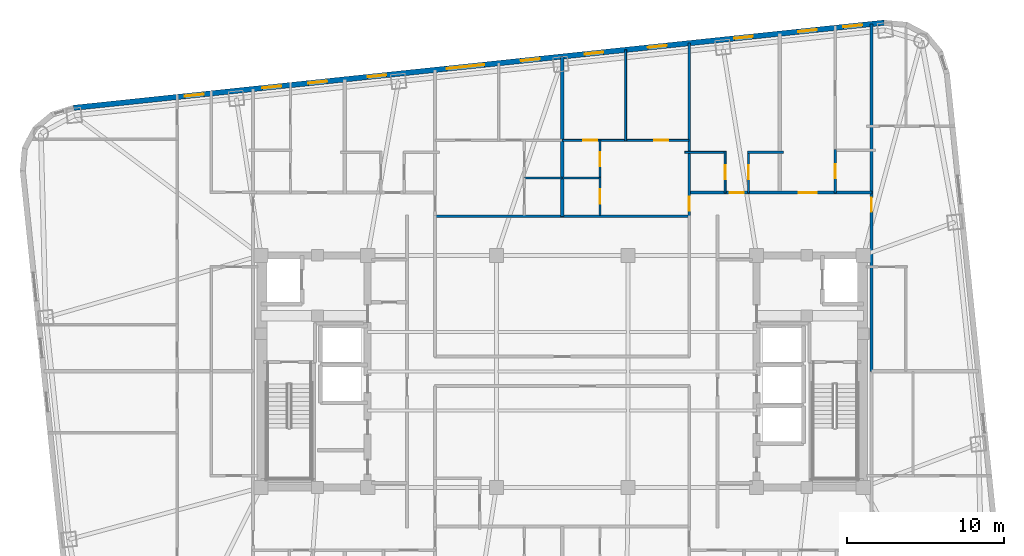
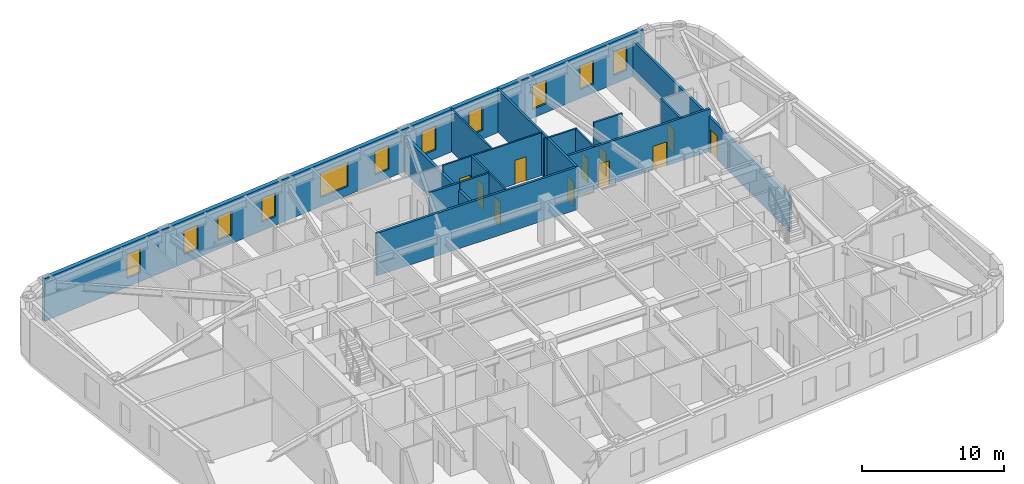
# One storey, part 9 of 12: 17 walls, 11 doors, 11 windows, 22 openings.
"""IFC4 building model written with IfcOpenShell, lengths in metres."""

from ifc_helpers import new_model, si_unit, direction, frame, frame_2d, origin, place, context, subcontext, project, spatial, rectangle, extrude, material, layer, layer_set, type_object, element, fill, save


model = new_model("IFC4")

# Units and contexts
model_context = context("Model", 3, precision=1e-05, world=origin(), true_north=direction((0.0, 1.0)))
body_context = subcontext(model_context, "Body", "Model", "MODEL_VIEW")
ifc_project = project(units=[si_unit("LENGTHUNIT", "METRE"), si_unit("AREAUNIT", "SQUARE_METRE"), si_unit("VOLUMEUNIT", "CUBIC_METRE"), si_unit("PLANEANGLEUNIT", "RADIAN"), si_unit("MASSUNIT", "GRAM", prefix="KILO")], contexts=[model_context])

# Site, building, storey
site_placement = place(None, origin())
site = spatial("IfcSite", under=ifc_project, at=site_placement, CompositionType="ELEMENT")
building_placement = place(site_placement, origin())
building = spatial("IfcBuilding", under=site, at=building_placement, Name="Voryun Gate Residences", CompositionType="ELEMENT")
storey_placement = place(building_placement, frame((0.0, 0.0, 152.10009765625)))
storey = spatial("IfcBuildingStorey", under=building, at=storey_placement, Name="L37", CompositionType="ELEMENT", Elevation=152.10009765625)

# Wall
ifc_material_1 = material(Name="Gypsum acoustic fireboard")
ifc_layer_1 = layer(ifc_material_1, 0.179931640625, Name="W_CORR_RATED_180")
ifc_layer_set_1 = layer_set([ifc_layer_1], Name="Gypsum acoustic fireboard")
wall_type_1 = type_object("IfcWallType", Name="W_CORR_RATED_180", PredefinedType="PARTITIONING", material=ifc_layer_set_1)
wall_1_placement = place(storey_placement, frame((-8.14990234375, 9.889892578125, 0.0), z_axis=(0.0, 0.0, 1.0), x_axis=(1.0, 0.0, 0.0)))
element("IfcWall", 1, at=wall_1_placement, inside=storey, type_object=wall_type_1, Name="Partition wall WP-L37-Z2N", PredefinedType="PARTITIONING", context=body_context, shape_type="SweptSolid", body=[
    extrude(rectangle(XDim=16.2998046875, YDim=0.179931640625, at=frame_2d((8.14990234375, 0.0))), origin(), (0.0, 0.0, 1.0), 3.64990234375),
])

# Wall, openings, doors
wall_2_placement = place(storey_placement, frame((8.080078125, 11.39990234375, 0.0), z_axis=(0.0, 0.0, 1.0), x_axis=(1.0, 0.0, 0.0)))
wall_2 = element("IfcWall", 2, at=wall_2_placement, inside=storey, type_object=wall_type_1, Name="Partition wall WP-L37-NCORR-E", PredefinedType="PARTITIONING", context=body_context, shape_type="SweptSolid", body=[
    extrude(rectangle(XDim=11.669921875, YDim=0.179931640625, at=frame_2d((5.8349609375, 0.0))), origin(), (0.0, 0.0, 1.0), 3.64990234375),
])
opening_1_placement = place(wall_2_placement, frame((2.60400390625, 0.0, 0.0)))
opening_1 = element("IfcOpeningElement", 3, at=opening_1_placement, cuts=wall_2, Name="Opening D-INT-2", PredefinedType="OPENING", context=body_context, shape_type="SweptSolid", body=[
    extrude(rectangle(XDim=0.89990234375, YDim=2.050048828125, at=frame_2d((0.449951171875, 1.02490234375))), frame((0.0, 0.099853515625, 0.0), z_axis=(0.0, -1.0, 0.0), x_axis=(1.0, 0.0, 0.0)), (0.0, 0.0, 1.0), 0.199951171875),
])
opening_2_placement = place(wall_2_placement, frame((7.016357421875, 0.0, 0.0)))
opening_2 = element("IfcOpeningElement", 4, at=opening_2_placement, cuts=wall_2, Name="Opening D-UNIT-1", PredefinedType="OPENING", context=body_context, shape_type="SweptSolid", body=[
    extrude(rectangle(XDim=1.14990234375, YDim=2.050048828125, at=frame_2d((0.574951171875, 1.02490234375))), frame((0.0, 0.099853515625, 0.0), z_axis=(0.0, -1.0, 0.0), x_axis=(1.0, 0.0, 0.0)), (0.0, 0.0, 1.0), 0.199951171875),
])
ifc_material_2 = material(Name="Architectural oak veneer")
door_type_1 = type_object("IfcDoorType", Name="DR_INT_BATH_900", OperationType="NOTDEFINED", PredefinedType="DOOR", material=ifc_material_2)
door_1_placement = place(opening_1_placement, origin())
door_1 = element("IfcDoor", 5, at=door_1_placement, inside=storey, type_object=door_type_1, Name="Door DR-L37-NENT-4", OperationType="SINGLE_SWING_RIGHT", OverallHeight=2.050048828125, OverallWidth=0.89990234375, PredefinedType="DOOR", context=body_context, shape_type="SweptSolid", body=[
    extrude(rectangle(XDim=0.89990234375, YDim=2.050048828125, at=frame_2d((0.449951171875, 1.02490234375))), frame((0.0, 0.02490234375, 0.0), z_axis=(0.0, -1.0, 0.0), x_axis=(1.0, 0.0, 0.0)), (0.0, 0.0, 1.0), 0.050048828125),
])
fill(opening_1, door_1)
ifc_material_3 = material(Name="Armoured timber-clad fire door", Category="wood")
door_type_2 = type_object("IfcDoorType", Name="DR_UNIT_ENTRY_1150", OperationType="NOTDEFINED", PredefinedType="DOOR", material=ifc_material_3)
door_2_placement = place(opening_2_placement, origin())
door_2 = element("IfcDoor", 6, at=door_2_placement, inside=storey, type_object=door_type_2, Name="Door DR-L37-NENT-5", OperationType="SINGLE_SWING_LEFT", OverallHeight=2.050048828125, OverallWidth=1.14990234375, PredefinedType="DOOR", context=body_context, shape_type="SweptSolid", body=[
    extrude(rectangle(XDim=1.14990234375, YDim=2.050048828125, at=frame_2d((0.574951171875, 1.02490234375))), frame((0.0, 0.02490234375, 0.0), z_axis=(0.0, -1.0, 0.0), x_axis=(1.0, 0.0, 0.0)), (0.0, 0.0, 1.0), 0.050048828125),
])
fill(opening_2, door_2)

# Wall, opening, door
wall_3_placement = place(storey_placement, frame((8.10009765625, 9.889892578125, 0.0), z_axis=(0.0, 0.0, 1.0), x_axis=(0.0, 1.0, 0.0)))
wall_3 = element("IfcWall", 7, at=wall_3_placement, inside=storey, type_object=wall_type_1, Name="Partition wall WP-L37-NZV-2", PredefinedType="PARTITIONING", context=body_context, shape_type="SweptSolid", body=[
    extrude(rectangle(XDim=11.039306640625, YDim=0.179931640625, at=frame_2d((5.51953125, 0.0))), origin(), (0.0, 0.0, 1.0), 3.64990234375),
])
opening_3_placement = place(wall_3_placement, frame((0.350341796875, 0.0, 0.0)))
opening_3 = element("IfcOpeningElement", 8, at=opening_3_placement, cuts=wall_3, Name="Opening D-INT-2", PredefinedType="OPENING", context=body_context, shape_type="SweptSolid", body=[
    extrude(rectangle(XDim=0.89990234375, YDim=2.050048828125, at=frame_2d((0.449951171875, 1.02490234375))), frame((0.0, 0.099853515625, 0.0), z_axis=(0.0, -1.0, 0.0), x_axis=(1.0, 0.0, 0.0)), (0.0, 0.0, 1.0), 0.199951171875),
])
door_3_placement = place(opening_3_placement, origin())
door_3 = element("IfcDoor", 9, at=door_3_placement, inside=storey, type_object=door_type_1, Name="Door DR-L37-NZENT-2", OperationType="SINGLE_SWING_RIGHT", OverallHeight=2.050048828125, OverallWidth=0.89990234375, PredefinedType="DOOR", context=body_context, shape_type="SweptSolid", body=[
    extrude(rectangle(XDim=0.89990234375, YDim=2.050048828125, at=frame_2d((0.449951171875, 1.02490234375))), frame((0.0, 0.02490234375, 0.0), z_axis=(0.0, -1.0, 0.0), x_axis=(1.0, 0.0, 0.0)), (0.0, 0.0, 1.0), 0.050048828125),
])
fill(opening_3, door_3)

wall_4_placement = place(storey_placement, frame((19.719970703125, 0.0, 0.0), z_axis=(0.0, 0.0, 1.0), x_axis=(0.0, 1.0, 0.0)))
wall_4 = element("IfcWall", 10, at=wall_4_placement, inside=storey, type_object=wall_type_1, Name="Partition wall WP-L37-ECOR2", PredefinedType="PARTITIONING", context=body_context, shape_type="SweptSolid", body=[
    extrude(rectangle(XDim=22.150390625, YDim=0.179931640625, at=frame_2d((11.0751953125, 0.0))), origin(), (0.0, 0.0, 1.0), 3.039794921875),
])
opening_4_placement = place(wall_4_placement, frame((10.179931640625, 0.0, 0.0)))
opening_4 = element("IfcOpeningElement", 11, at=opening_4_placement, cuts=wall_4, Name="Opening D-INT-2", PredefinedType="OPENING", context=body_context, shape_type="SweptSolid", body=[
    extrude(rectangle(XDim=0.89990234375, YDim=2.050048828125, at=frame_2d((0.449951171875, 1.02490234375))), frame((0.0, 0.099853515625, 0.0), z_axis=(0.0, -1.0, 0.0), x_axis=(1.0, 0.0, 0.0)), (0.0, 0.0, 1.0), 0.199951171875),
])
door_4_placement = place(opening_4_placement, origin())
door_4 = element("IfcDoor", 12, at=door_4_placement, inside=storey, type_object=door_type_1, Name="Door DR-L37-EE2", OperationType="SINGLE_SWING_RIGHT", OverallHeight=2.050048828125, OverallWidth=0.89990234375, PredefinedType="DOOR", context=body_context, shape_type="SweptSolid", body=[
    extrude(rectangle(XDim=0.89990234375, YDim=2.050048828125, at=frame_2d((0.449951171875, 1.02490234375))), frame((0.0, 0.02490234375, 0.0), z_axis=(0.0, -1.0, 0.0), x_axis=(1.0, 0.0, 0.0)), (0.0, 0.0, 1.0), 0.050048828125),
])
fill(opening_4, door_4)

# Wall, openings, windows
ifc_material_4 = material(Name="Charcoal terracotta masonry", Category="masonry")
ifc_layer_2 = layer(ifc_material_4, 0.340087890625, Name="W_EXT_TERRACOTTA_340")
ifc_layer_set_2 = layer_set([ifc_layer_2], Name="Charcoal terracotta masonry")
wall_type_2 = type_object("IfcWallType", Name="W_EXT_TERRACOTTA_340", PredefinedType="ELEMENTEDWALL", material=ifc_layer_set_2)
wall_5_placement = place(storey_placement, frame((-31.155517578125, 16.80322265625, 0.0), z_axis=(0.0, 0.0, 1.0), x_axis=(0.99452209583, 0.104526555986, 0.0)))
wall_5 = element("IfcWall", 13, at=wall_5_placement, inside=storey, type_object=wall_type_2, Name="Exterior wall WEXT-L37-11", PredefinedType="ELEMENTEDWALL", context=body_context, shape_type="SweptSolid", body=[
    extrude(rectangle(XDim=51.966552734375, YDim=0.340087890625, at=frame_2d((25.9833984375, 0.0))), origin(), (0.0, 0.0, 1.0), 3.64990234375),
])
opening_5_placement = place(wall_5_placement, frame((23.93310546875, 0.0, 0.75)))
opening_5 = element("IfcOpeningElement", 14, at=opening_5_placement, cuts=wall_5, Name="Opening WN2", PredefinedType="OPENING", context=body_context, shape_type="SweptSolid", body=[
    extrude(rectangle(XDim=2.39990234375, YDim=2.10009765625, at=frame_2d((1.199951171875, 1.050048828125))), frame((0.0, 0.179931640625, 0.0), z_axis=(0.0, -1.0, 0.0), x_axis=(1.0, 0.0, 0.0)), (0.0, 0.0, 1.0), 0.360107421875),
])
opening_6_placement = place(wall_5_placement, frame((15.04638671875, 0.0, 0.75)))
opening_6 = element("IfcOpeningElement", 15, at=opening_6_placement, cuts=wall_5, Name="Opening WN6", PredefinedType="OPENING", context=body_context, shape_type="SweptSolid", body=[
    extrude(rectangle(XDim=1.199951171875, YDim=2.050048828125, at=frame_2d((0.60009765625, 1.02490234375))), frame((0.0, 0.179931640625, 0.0), z_axis=(0.0, -1.0, 0.0), x_axis=(1.0, 0.0, 0.0)), (0.0, 0.0, 1.0), 0.360107421875),
])
opening_7_placement = place(wall_5_placement, frame((12.10791015625, 0.0, 0.75)))
opening_7 = element("IfcOpeningElement", 16, at=opening_7_placement, cuts=wall_5, Name="Opening WN6", PredefinedType="OPENING", context=body_context, shape_type="SweptSolid", body=[
    extrude(rectangle(XDim=1.199951171875, YDim=2.050048828125, at=frame_2d((0.60009765625, 1.02490234375))), frame((0.0, 0.179931640625, 0.0), z_axis=(0.0, -1.0, 0.0), x_axis=(1.0, 0.0, 0.0)), (0.0, 0.0, 1.0), 0.360107421875),
])
opening_8_placement = place(wall_5_placement, frame((18.851806640625, 0.0, 0.75)))
opening_8 = element("IfcOpeningElement", 17, at=opening_8_placement, cuts=wall_5, Name="Opening WN6", PredefinedType="OPENING", context=body_context, shape_type="SweptSolid", body=[
    extrude(rectangle(XDim=1.199951171875, YDim=2.050048828125, at=frame_2d((0.60009765625, 1.02490234375))), frame((0.0, 0.179931640625, 0.0), z_axis=(0.0, -1.0, 0.0), x_axis=(1.0, 0.0, 0.0)), (0.0, 0.0, 1.0), 0.360107421875),
])
opening_9_placement = place(wall_5_placement, frame((42.35791015625, 0.0, 0.75)))
opening_9 = element("IfcOpeningElement", 18, at=opening_9_placement, cuts=wall_5, Name="Opening WN6", PredefinedType="OPENING", context=body_context, shape_type="SweptSolid", body=[
    extrude(rectangle(XDim=1.199951171875, YDim=2.050048828125, at=frame_2d((0.60009765625, 1.02490234375))), frame((0.0, 0.179931640625, 0.0), z_axis=(0.0, -1.0, 0.0), x_axis=(1.0, 0.0, 0.0)), (0.0, 0.0, 1.0), 0.360107421875),
])
opening_10_placement = place(wall_5_placement, frame((46.451904296875, 0.0, 0.75)))
opening_10 = element("IfcOpeningElement", 19, at=opening_10_placement, cuts=wall_5, Name="Opening WN6", PredefinedType="OPENING", context=body_context, shape_type="SweptSolid", body=[
    extrude(rectangle(XDim=1.199951171875, YDim=2.050048828125, at=frame_2d((0.60009765625, 1.02490234375))), frame((0.0, 0.179931640625, 0.0), z_axis=(0.0, -1.0, 0.0), x_axis=(1.0, 0.0, 0.0)), (0.0, 0.0, 1.0), 0.360107421875),
])
opening_11_placement = place(wall_5_placement, frame((49.355712890625, 0.0, 0.75)))
opening_11 = element("IfcOpeningElement", 20, at=opening_11_placement, cuts=wall_5, Name="Opening WN6", PredefinedType="OPENING", context=body_context, shape_type="SweptSolid", body=[
    extrude(rectangle(XDim=1.199951171875, YDim=2.050048828125, at=frame_2d((0.60009765625, 1.02490234375))), frame((0.0, 0.179931640625, 0.0), z_axis=(0.0, -1.0, 0.0), x_axis=(1.0, 0.0, 0.0)), (0.0, 0.0, 1.0), 0.360107421875),
])
opening_12_placement = place(wall_5_placement, frame((28.68359375, 0.0, 0.75)))
opening_12 = element("IfcOpeningElement", 21, at=opening_12_placement, cuts=wall_5, Name="Opening WN6", PredefinedType="OPENING", context=body_context, shape_type="SweptSolid", body=[
    extrude(rectangle(XDim=1.199951171875, YDim=2.050048828125, at=frame_2d((0.60009765625, 1.02490234375))), frame((0.0, 0.179931640625, 0.0), z_axis=(0.0, -1.0, 0.0), x_axis=(1.0, 0.0, 0.0)), (0.0, 0.0, 1.0), 0.360107421875),
])
opening_13_placement = place(wall_5_placement, frame((32.76611328125, 0.0, 0.75)))
opening_13 = element("IfcOpeningElement", 22, at=opening_13_placement, cuts=wall_5, Name="Opening WN6", PredefinedType="OPENING", context=body_context, shape_type="SweptSolid", body=[
    extrude(rectangle(XDim=1.199951171875, YDim=2.050048828125, at=frame_2d((0.60009765625, 1.02490234375))), frame((0.0, 0.179931640625, 0.0), z_axis=(0.0, -1.0, 0.0), x_axis=(1.0, 0.0, 0.0)), (0.0, 0.0, 1.0), 0.360107421875),
])
opening_14_placement = place(wall_5_placement, frame((36.828369140625, 0.0, 0.75)))
opening_14 = element("IfcOpeningElement", 23, at=opening_14_placement, cuts=wall_5, Name="Opening WN6", PredefinedType="OPENING", context=body_context, shape_type="SweptSolid", body=[
    extrude(rectangle(XDim=1.199951171875, YDim=2.050048828125, at=frame_2d((0.60009765625, 1.02490234375))), frame((0.0, 0.179931640625, 0.0), z_axis=(0.0, -1.0, 0.0), x_axis=(1.0, 0.0, 0.0)), (0.0, 0.0, 1.0), 0.360107421875),
])
opening_15_placement = place(wall_5_placement, frame((7.135498046875, 0.0, 0.75)))
opening_15 = element("IfcOpeningElement", 24, at=opening_15_placement, cuts=wall_5, Name="Opening WN6", PredefinedType="OPENING", context=body_context, shape_type="SweptSolid", body=[
    extrude(rectangle(XDim=1.199951171875, YDim=2.050048828125, at=frame_2d((0.60009765625, 1.02490234375))), frame((0.0, 0.179931640625, 0.0), z_axis=(0.0, -1.0, 0.0), x_axis=(1.0, 0.0, 0.0)), (0.0, 0.0, 1.0), 0.360107421875),
])
ifc_material_5 = material(Name="Laminated low-E glass", Category="glass")
window_type_1 = type_object("IfcWindowType", Name="WN_POD_SLOT_1200", PartitioningType="SINGLE_PANEL", PredefinedType="WINDOW", material=ifc_material_5)
window_1_placement = place(opening_6_placement, origin())
window_1 = element("IfcWindow", 25, at=window_1_placement, inside=storey, type_object=window_type_1, Name="Window WN-L37-DWFIX-01", OverallHeight=2.050048828125, OverallWidth=1.199951171875, PartitioningType="SINGLE_PANEL", PredefinedType="WINDOW", context=body_context, shape_type="SweptSolid", body=[
    extrude(rectangle(XDim=1.199951171875, YDim=2.050048828125, at=frame_2d((0.60009765625, 1.02490234375))), frame((0.0, 0.030029296875, 0.0), z_axis=(0.0, -1.0, 0.0), x_axis=(1.0, 0.0, 0.0)), (0.0, 0.0, 1.0), 0.06005859375),
])
fill(opening_6, window_1)
window_2_placement = place(opening_7_placement, origin())
window_2 = element("IfcWindow", 26, at=window_2_placement, inside=storey, type_object=window_type_1, Name="Window WN-L37-DWFIX-02", OverallHeight=2.050048828125, OverallWidth=1.199951171875, PartitioningType="SINGLE_PANEL", PredefinedType="WINDOW", context=body_context, shape_type="SweptSolid", body=[
    extrude(rectangle(XDim=1.199951171875, YDim=2.050048828125, at=frame_2d((0.60009765625, 1.02490234375))), frame((0.0, 0.030029296875, 0.0), z_axis=(0.0, -1.0, 0.0), x_axis=(1.0, 0.0, 0.0)), (0.0, 0.0, 1.0), 0.06005859375),
])
fill(opening_7, window_2)
window_3_placement = place(opening_8_placement, origin())
window_3 = element("IfcWindow", 27, at=window_3_placement, inside=storey, type_object=window_type_1, Name="Window WN-L37-DWFIX-03", OverallHeight=2.050048828125, OverallWidth=1.199951171875, PartitioningType="SINGLE_PANEL", PredefinedType="WINDOW", context=body_context, shape_type="SweptSolid", body=[
    extrude(rectangle(XDim=1.199951171875, YDim=2.050048828125, at=frame_2d((0.60009765625, 1.02490234375))), frame((0.0, 0.030029296875, 0.0), z_axis=(0.0, -1.0, 0.0), x_axis=(1.0, 0.0, 0.0)), (0.0, 0.0, 1.0), 0.06005859375),
])
fill(opening_8, window_3)
window_4_placement = place(opening_9_placement, origin())
window_4 = element("IfcWindow", 28, at=window_4_placement, inside=storey, type_object=window_type_1, Name="Window WN-L37-DWFIX-04", OverallHeight=2.050048828125, OverallWidth=1.199951171875, PartitioningType="SINGLE_PANEL", PredefinedType="WINDOW", context=body_context, shape_type="SweptSolid", body=[
    extrude(rectangle(XDim=1.199951171875, YDim=2.050048828125, at=frame_2d((0.60009765625, 1.02490234375))), frame((0.0, 0.030029296875, 0.0), z_axis=(0.0, -1.0, 0.0), x_axis=(1.0, 0.0, 0.0)), (0.0, 0.0, 1.0), 0.06005859375),
])
fill(opening_9, window_4)
window_5_placement = place(opening_10_placement, origin())
window_5 = element("IfcWindow", 29, at=window_5_placement, inside=storey, type_object=window_type_1, Name="Window WN-L37-DWFIX-05", OverallHeight=2.050048828125, OverallWidth=1.199951171875, PartitioningType="SINGLE_PANEL", PredefinedType="WINDOW", context=body_context, shape_type="SweptSolid", body=[
    extrude(rectangle(XDim=1.199951171875, YDim=2.050048828125, at=frame_2d((0.60009765625, 1.02490234375))), frame((0.0, 0.030029296875, 0.0), z_axis=(0.0, -1.0, 0.0), x_axis=(1.0, 0.0, 0.0)), (0.0, 0.0, 1.0), 0.06005859375),
])
fill(opening_10, window_5)
window_6_placement = place(opening_11_placement, origin())
window_6 = element("IfcWindow", 30, at=window_6_placement, inside=storey, type_object=window_type_1, Name="Window WN-L37-DWFIX-06", OverallHeight=2.050048828125, OverallWidth=1.199951171875, PartitioningType="SINGLE_PANEL", PredefinedType="WINDOW", context=body_context, shape_type="SweptSolid", body=[
    extrude(rectangle(XDim=1.199951171875, YDim=2.050048828125, at=frame_2d((0.60009765625, 1.02490234375))), frame((0.0, 0.030029296875, 0.0), z_axis=(0.0, -1.0, 0.0), x_axis=(1.0, 0.0, 0.0)), (0.0, 0.0, 1.0), 0.06005859375),
])
fill(opening_11, window_6)
window_7_placement = place(opening_12_placement, origin())
window_7 = element("IfcWindow", 31, at=window_7_placement, inside=storey, type_object=window_type_1, Name="Window WN-L37-DWFIX-07", OverallHeight=2.050048828125, OverallWidth=1.199951171875, PartitioningType="SINGLE_PANEL", PredefinedType="WINDOW", context=body_context, shape_type="SweptSolid", body=[
    extrude(rectangle(XDim=1.199951171875, YDim=2.050048828125, at=frame_2d((0.60009765625, 1.02490234375))), frame((0.0, 0.030029296875, 0.0), z_axis=(0.0, -1.0, 0.0), x_axis=(1.0, 0.0, 0.0)), (0.0, 0.0, 1.0), 0.06005859375),
])
fill(opening_12, window_7)
window_8_placement = place(opening_13_placement, origin())
window_8 = element("IfcWindow", 32, at=window_8_placement, inside=storey, type_object=window_type_1, Name="Window WN-L37-DWFIX-08", OverallHeight=2.050048828125, OverallWidth=1.199951171875, PartitioningType="SINGLE_PANEL", PredefinedType="WINDOW", context=body_context, shape_type="SweptSolid", body=[
    extrude(rectangle(XDim=1.199951171875, YDim=2.050048828125, at=frame_2d((0.60009765625, 1.02490234375))), frame((0.0, 0.030029296875, 0.0), z_axis=(0.0, -1.0, 0.0), x_axis=(1.0, 0.0, 0.0)), (0.0, 0.0, 1.0), 0.06005859375),
])
fill(opening_13, window_8)
window_9_placement = place(opening_14_placement, origin())
window_9 = element("IfcWindow", 33, at=window_9_placement, inside=storey, type_object=window_type_1, Name="Window WN-L37-DWFIX-09", OverallHeight=2.050048828125, OverallWidth=1.199951171875, PartitioningType="SINGLE_PANEL", PredefinedType="WINDOW", context=body_context, shape_type="SweptSolid", body=[
    extrude(rectangle(XDim=1.199951171875, YDim=2.050048828125, at=frame_2d((0.60009765625, 1.02490234375))), frame((0.0, 0.030029296875, 0.0), z_axis=(0.0, -1.0, 0.0), x_axis=(1.0, 0.0, 0.0)), (0.0, 0.0, 1.0), 0.06005859375),
])
fill(opening_14, window_9)
window_10_placement = place(opening_15_placement, origin())
window_10 = element("IfcWindow", 34, at=window_10_placement, inside=storey, type_object=window_type_1, Name="Window WN-L37-DWFIX-23", OverallHeight=2.050048828125, OverallWidth=1.199951171875, PartitioningType="SINGLE_PANEL", PredefinedType="WINDOW", context=body_context, shape_type="SweptSolid", body=[
    extrude(rectangle(XDim=1.199951171875, YDim=2.050048828125, at=frame_2d((0.60009765625, 1.02490234375))), frame((0.0, 0.030029296875, 0.0), z_axis=(0.0, -1.0, 0.0), x_axis=(1.0, 0.0, 0.0)), (0.0, 0.0, 1.0), 0.06005859375),
])
fill(opening_15, window_10)
ifc_material_6 = material(Name="Laminated low-E glass", Category="glass")
window_type_2 = type_object("IfcWindowType", Name="WN_RES_WIDE_2400", PartitioningType="SINGLE_PANEL", PredefinedType="WINDOW", material=ifc_material_6)
window_11_placement = place(opening_5_placement, origin())
window_11 = element("IfcWindow", 35, at=window_11_placement, inside=storey, type_object=window_type_2, Name="Window WN-WEXT-L37-11-02", OverallHeight=2.10009765625, OverallWidth=2.39990234375, PartitioningType="SINGLE_PANEL", PredefinedType="WINDOW", context=body_context, shape_type="SweptSolid", body=[
    extrude(rectangle(XDim=2.39990234375, YDim=2.10009765625, at=frame_2d((1.199951171875, 1.050048828125))), frame((0.0, 0.030029296875, 0.0), z_axis=(0.0, -1.0, 0.0), x_axis=(1.0, 0.0, 0.0)), (0.0, 0.0, 1.0), 0.06005859375),
])
fill(opening_5, window_11)

# Wall
ifc_material_7 = material(Name="Concrete C40/50", Category="concrete")
ifc_layer_3 = layer(ifc_material_7, 0.219970703125, Name="W_PARTY_ACOUSTIC_220")
ifc_layer_set_3 = layer_set([ifc_layer_3], Name="Concrete C40/50")
wall_type_3 = type_object("IfcWallType", Name="W_PARTY_ACOUSTIC_220", PredefinedType="PARTITIONING", material=ifc_layer_set_3)
wall_6_placement = place(storey_placement, frame((0.0, 9.889892578125, 0.0), z_axis=(0.0, 0.0, 1.0), x_axis=(0.0, 1.0, 0.0)))
element("IfcWall", 36, at=wall_6_placement, inside=storey, type_object=wall_type_3, Name="Partition wall WP-L37-NZMID", PredefinedType="PARTITIONING", context=body_context, shape_type="SweptSolid", body=[
    extrude(rectangle(XDim=10.18798828125, YDim=0.219970703125, at=frame_2d((5.093994140625, 0.0))), origin(), (0.0, 0.0, 1.0), 3.039794921875),
])

# Wall, opening, door
ifc_material_8 = material(Name="Gypsum acoustic partition")
ifc_layer_4 = layer(ifc_material_8, 0.125, Name="W_UNIT_PART_125")
ifc_layer_set_4 = layer_set([ifc_layer_4], Name="Gypsum acoustic partition")
wall_type_4 = type_object("IfcWallType", Name="W_UNIT_PART_125", PredefinedType="PARTITIONING", material=ifc_layer_set_4)
wall_7_placement = place(storey_placement, frame((10.389892578125, 11.3798828125, 0.0), z_axis=(0.0, 0.0, 1.0), x_axis=(0.0, 1.0, 0.0)))
wall_7 = element("IfcWall", 37, at=wall_7_placement, inside=storey, type_object=wall_type_4, Name="Partition wall WP-L37-N4-CVK", PredefinedType="PARTITIONING", context=body_context, shape_type="SweptSolid", body=[
    extrude(rectangle(XDim=2.650146484375, YDim=0.125, at=frame_2d((1.3251953125, 0.0))), origin(), (0.0, 0.0, 1.0), 3.64990234375),
])
opening_16_placement = place(wall_7_placement, frame((0.875, 0.0, 0.0)))
opening_16 = element("IfcOpeningElement", 38, at=opening_16_placement, cuts=wall_7, Name="Opening D-INT-2", PredefinedType="OPENING", context=body_context, shape_type="SweptSolid", body=[
    extrude(rectangle(XDim=0.89990234375, YDim=2.050048828125, at=frame_2d((0.449951171875, 1.02490234375))), frame((0.0, 0.072509765625, 0.0), z_axis=(0.0, -1.0, 0.0), x_axis=(1.0, 0.0, 0.0)), (0.0, 0.0, 1.0), 0.14501953125),
])
door_5_placement = place(opening_16_placement, origin())
door_5 = element("IfcDoor", 39, at=door_5_placement, inside=storey, type_object=door_type_1, Name="Door DR-L37-N4-DK", OperationType="SINGLE_SWING_LEFT", OverallHeight=2.050048828125, OverallWidth=0.89990234375, PredefinedType="DOOR", context=body_context, shape_type="SweptSolid", body=[
    extrude(rectangle(XDim=0.89990234375, YDim=2.050048828125, at=frame_2d((0.449951171875, 1.02490234375))), frame((0.0, 0.02490234375, 0.0), z_axis=(0.0, -1.0, 0.0), x_axis=(1.0, 0.0, 0.0)), (0.0, 0.0, 1.0), 0.050048828125),
])
fill(opening_16, door_5)

# Wall
wall_8_placement = place(storey_placement, frame((7.820068359375, 13.969970703125, 0.0), z_axis=(0.0, 0.0, 1.0), x_axis=(1.0, 0.0, 0.0)))
element("IfcWall", 40, at=wall_8_placement, inside=storey, type_object=wall_type_4, Name="Partition wall WP-L37-N4-CHK", PredefinedType="PARTITIONING", context=body_context, shape_type="SweptSolid", body=[
    extrude(rectangle(XDim=2.6298828125, YDim=0.125, at=frame_2d((1.31494140625, 0.0))), origin(), (0.0, 0.0, 1.0), 3.64990234375),
])

# Wall, openings, doors
wall_9_placement = place(storey_placement, frame((0.02001953125, 14.72998046875, 0.0), z_axis=(0.0, 0.0, 1.0), x_axis=(1.0, 0.0, 0.0)))
wall_9 = element("IfcWall", 41, at=wall_9_placement, inside=storey, type_object=wall_type_4, Name="Partition wall WP-L37-NC2-HZ", PredefinedType="PARTITIONING", context=body_context, shape_type="SweptSolid", body=[
    extrude(rectangle(XDim=8.06005859375, YDim=0.125, at=frame_2d((4.030029296875, 0.0))), origin(), (0.0, 0.0, 1.0), 3.64990234375),
])
opening_17_placement = place(wall_9_placement, frame((1.3232421875, 0.0, 0.0)))
opening_17 = element("IfcOpeningElement", 42, at=opening_17_placement, cuts=wall_9, Name="Opening D-INT-2", PredefinedType="OPENING", context=body_context, shape_type="SweptSolid", body=[
    extrude(rectangle(XDim=0.89990234375, YDim=2.050048828125, at=frame_2d((0.449951171875, 1.02490234375))), frame((0.0, 0.072509765625, 0.0), z_axis=(0.0, -1.0, 0.0), x_axis=(1.0, 0.0, 0.0)), (0.0, 0.0, 1.0), 0.14501953125),
])
opening_18_placement = place(wall_9_placement, frame((5.8369140625, 0.0, 0.0)))
opening_18 = element("IfcOpeningElement", 43, at=opening_18_placement, cuts=wall_9, Name="Opening D-INT-2", PredefinedType="OPENING", context=body_context, shape_type="SweptSolid", body=[
    extrude(rectangle(XDim=0.89990234375, YDim=2.050048828125, at=frame_2d((0.449951171875, 1.02490234375))), frame((0.0, 0.072509765625, 0.0), z_axis=(0.0, -1.0, 0.0), x_axis=(1.0, 0.0, 0.0)), (0.0, 0.0, 1.0), 0.14501953125),
])
door_6_placement = place(opening_17_placement, origin())
door_6 = element("IfcDoor", 44, at=door_6_placement, inside=storey, type_object=door_type_1, Name="Door DR-L37-NC2-DMB", OperationType="SINGLE_SWING_LEFT", OverallHeight=2.050048828125, OverallWidth=0.89990234375, PredefinedType="DOOR", context=body_context, shape_type="SweptSolid", body=[
    extrude(rectangle(XDim=0.89990234375, YDim=2.050048828125, at=frame_2d((0.449951171875, 1.02490234375))), frame((0.0, 0.02490234375, 0.0), z_axis=(0.0, -1.0, 0.0), x_axis=(1.0, 0.0, 0.0)), (0.0, 0.0, 1.0), 0.050048828125),
])
fill(opening_17, door_6)
door_7_placement = place(opening_18_placement, origin())
door_7 = element("IfcDoor", 45, at=door_7_placement, inside=storey, type_object=door_type_1, Name="Door DR-L37-NC2-DBD2", OperationType="SINGLE_SWING_RIGHT", OverallHeight=2.050048828125, OverallWidth=0.89990234375, PredefinedType="DOOR", context=body_context, shape_type="SweptSolid", body=[
    extrude(rectangle(XDim=0.89990234375, YDim=2.050048828125, at=frame_2d((0.449951171875, 1.02490234375))), frame((0.0, 0.02490234375, 0.0), z_axis=(0.0, -1.0, 0.0), x_axis=(1.0, 0.0, 0.0)), (0.0, 0.0, 1.0), 0.050048828125),
])
fill(opening_18, door_7)

# Wall, opening, door
wall_10_placement = place(storey_placement, frame((2.409912109375, 9.949951171875, 0.0), z_axis=(0.0, 0.0, 1.0), x_axis=(0.0, 1.0, 0.0)))
wall_10 = element("IfcWall", 46, at=wall_10_placement, inside=storey, type_object=wall_type_4, Name="Partition wall WP-L37-NC2-VK1", PredefinedType="PARTITIONING", context=body_context, shape_type="SweptSolid", body=[
    extrude(rectangle(XDim=2.41015625, YDim=0.125, at=frame_2d((1.205078125, 0.0))), origin(), (0.0, 0.0, 1.0), 3.64990234375),
])
opening_19_placement = place(wall_10_placement, frame((0.7548828125, 0.0, 0.0)))
opening_19 = element("IfcOpeningElement", 47, at=opening_19_placement, cuts=wall_10, Name="Opening D-INT-2", PredefinedType="OPENING", context=body_context, shape_type="SweptSolid", body=[
    extrude(rectangle(XDim=0.89990234375, YDim=2.050048828125, at=frame_2d((0.449951171875, 1.02490234375))), frame((0.0, 0.072509765625, 0.0), z_axis=(0.0, -1.0, 0.0), x_axis=(1.0, 0.0, 0.0)), (0.0, 0.0, 1.0), 0.14501953125),
])
door_8_placement = place(opening_19_placement, origin())
door_8 = element("IfcDoor", 48, at=door_8_placement, inside=storey, type_object=door_type_1, Name="Door DR-L37-NC2-DK", OperationType="SINGLE_SWING_LEFT", OverallHeight=2.050048828125, OverallWidth=0.89990234375, PredefinedType="DOOR", context=body_context, shape_type="SweptSolid", body=[
    extrude(rectangle(XDim=0.89990234375, YDim=2.050048828125, at=frame_2d((0.449951171875, 1.02490234375))), frame((0.0, 0.02490234375, 0.0), z_axis=(0.0, -1.0, 0.0), x_axis=(1.0, 0.0, 0.0)), (0.0, 0.0, 1.0), 0.050048828125),
])
fill(opening_19, door_8)

# Wall
wall_11_placement = place(storey_placement, frame((4.050048828125, 14.68994140625, 0.0), z_axis=(0.0, 0.0, 1.0), x_axis=(0.0, 1.0, 0.0)))
element("IfcWall", 49, at=wall_11_placement, inside=storey, type_object=wall_type_4, Name="Partition wall WP-L37-NC2-VBD", PredefinedType="PARTITIONING", context=body_context, shape_type="SweptSolid", body=[
    extrude(rectangle(XDim=5.8134765625, YDim=0.125, at=frame_2d((2.90673828125, 0.0))), origin(), (0.0, 0.0, 1.0), 3.64990234375),
])

# Wall, opening, door
ifc_material_9 = material(Name="Gypsum moisture-resistant partition")
ifc_layer_5 = layer(ifc_material_9, 0.14990234375, Name="W_WET_PLUMB_150")
ifc_layer_set_5 = layer_set([ifc_layer_5], Name="Gypsum moisture-resistant partition")
wall_type_5 = type_object("IfcWallType", Name="W_WET_PLUMB_150", PredefinedType="PLUMBINGWALL", material=ifc_layer_set_5)
wall_12_placement = place(storey_placement, frame((11.87890625, 11.3798828125, 0.0), z_axis=(0.0, 0.0, 1.0), x_axis=(0.0, 1.0, 0.0)))
wall_12 = element("IfcWall", 50, at=wall_12_placement, inside=storey, type_object=wall_type_5, Name="Partition wall WP-L37-N4-CVB", PredefinedType="PLUMBINGWALL", context=body_context, shape_type="SweptSolid", body=[
    extrude(rectangle(XDim=2.650146484375, YDim=0.14990234375, at=frame_2d((1.3251953125, 0.0))), origin(), (0.0, 0.0, 1.0), 3.039794921875),
])
opening_20_placement = place(wall_12_placement, frame((0.875, 0.0, 0.0)))
opening_20 = element("IfcOpeningElement", 51, at=opening_20_placement, cuts=wall_12, Name="Opening D-INT-2", PredefinedType="OPENING", context=body_context, shape_type="SweptSolid", body=[
    extrude(rectangle(XDim=0.89990234375, YDim=2.050048828125, at=frame_2d((0.449951171875, 1.02490234375))), frame((0.0, 0.0849609375, 0.0), z_axis=(0.0, -1.0, 0.0), x_axis=(1.0, 0.0, 0.0)), (0.0, 0.0, 1.0), 0.169921875),
])
door_9_placement = place(opening_20_placement, origin())
door_9 = element("IfcDoor", 52, at=door_9_placement, inside=storey, type_object=door_type_1, Name="Door DR-L37-N4-DB", OperationType="SINGLE_SWING_RIGHT", OverallHeight=2.050048828125, OverallWidth=0.89990234375, PredefinedType="DOOR", context=body_context, shape_type="SweptSolid", body=[
    extrude(rectangle(XDim=0.89990234375, YDim=2.050048828125, at=frame_2d((0.449951171875, 1.02490234375))), frame((0.0, 0.02490234375, 0.0), z_axis=(0.0, -1.0, 0.0), x_axis=(1.0, 0.0, 0.0)), (0.0, 0.0, 1.0), 0.050048828125),
])
fill(opening_20, door_9)

# Wall
wall_13_placement = place(storey_placement, frame((11.819091796875, 13.969970703125, 0.0), z_axis=(0.0, 0.0, 1.0), x_axis=(1.0, 0.0, 0.0)))
element("IfcWall", 53, at=wall_13_placement, inside=storey, type_object=wall_type_5, Name="Partition wall WP-L37-N4-CHB", PredefinedType="PLUMBINGWALL", context=body_context, shape_type="SweptSolid", body=[
    extrude(rectangle(XDim=2.305908203125, YDim=0.14990234375, at=frame_2d((1.15283203125, 0.0))), origin(), (0.0, 0.0, 1.0), 3.64990234375),
])

# Wall, opening, door
wall_14_placement = place(storey_placement, frame((17.4169921875, 11.3798828125, 0.0), z_axis=(0.0, 0.0, 1.0), x_axis=(0.0, 1.0, 0.0)))
wall_14 = element("IfcWall", 54, at=wall_14_placement, inside=storey, type_object=wall_type_5, Name="Partition wall WP-L37-N5-SVT1", PredefinedType="PLUMBINGWALL", context=body_context, shape_type="SweptSolid", body=[
    extrude(rectangle(XDim=2.760009765625, YDim=0.14990234375, at=frame_2d((1.3798828125, 0.0))), origin(), (0.0, 0.0, 1.0), 3.64990234375),
])
opening_21_placement = place(wall_14_placement, frame((0.929931640625, 0.0, 0.0)))
opening_21 = element("IfcOpeningElement", 55, at=opening_21_placement, cuts=wall_14, Name="Opening D-INT-2", PredefinedType="OPENING", context=body_context, shape_type="SweptSolid", body=[
    extrude(rectangle(XDim=0.89990234375, YDim=2.050048828125, at=frame_2d((0.449951171875, 1.02490234375))), frame((0.0, 0.0849609375, 0.0), z_axis=(0.0, -1.0, 0.0), x_axis=(1.0, 0.0, 0.0)), (0.0, 0.0, 1.0), 0.169921875),
])
door_10_placement = place(opening_21_placement, origin())
door_10 = element("IfcDoor", 56, at=door_10_placement, inside=storey, type_object=door_type_1, Name="Door DR-L37-N5-DB", OperationType="SINGLE_SWING_LEFT", OverallHeight=2.050048828125, OverallWidth=0.89990234375, PredefinedType="DOOR", context=body_context, shape_type="SweptSolid", body=[
    extrude(rectangle(XDim=0.89990234375, YDim=2.050048828125, at=frame_2d((0.449951171875, 1.02490234375))), frame((0.0, 0.02490234375, 0.0), z_axis=(0.0, -1.0, 0.0), x_axis=(1.0, 0.0, 0.0)), (0.0, 0.0, 1.0), 0.050048828125),
])
fill(opening_21, door_10)

# Wall
wall_15_placement = place(storey_placement, frame((-2.449951171875, 12.330078125, 0.0), z_axis=(0.0, 0.0, 1.0), x_axis=(1.0, 0.0, 0.0)))
element("IfcWall", 57, at=wall_15_placement, inside=storey, type_object=wall_type_5, Name="Partition wall WP-L37-NC1-HKB", PredefinedType="PLUMBINGWALL", context=body_context, shape_type="SweptSolid", body=[
    extrude(rectangle(XDim=2.429931640625, YDim=0.14990234375, at=frame_2d((1.21484375, 0.0))), origin(), (0.0, 0.0, 1.0), 3.64990234375),
])

# Wall, opening, door
wall_16_placement = place(storey_placement, frame((2.409912109375, 12.300048828125, 0.0), z_axis=(0.0, 0.0, 1.0), x_axis=(0.0, 1.0, 0.0)))
wall_16 = element("IfcWall", 58, at=wall_16_placement, inside=storey, type_object=wall_type_5, Name="Partition wall WP-L37-NC2-VK2", PredefinedType="PLUMBINGWALL", context=body_context, shape_type="SweptSolid", body=[
    extrude(rectangle(XDim=2.469970703125, YDim=0.14990234375, at=frame_2d((1.23486328125, 0.0))), origin(), (0.0, 0.0, 1.0), 3.64990234375),
])
opening_22_placement = place(wall_16_placement, frame((0.784912109375, 0.0, 0.0)))
opening_22 = element("IfcOpeningElement", 59, at=opening_22_placement, cuts=wall_16, Name="Opening D-INT-2", PredefinedType="OPENING", context=body_context, shape_type="SweptSolid", body=[
    extrude(rectangle(XDim=0.89990234375, YDim=2.050048828125, at=frame_2d((0.449951171875, 1.02490234375))), frame((0.0, 0.0849609375, 0.0), z_axis=(0.0, -1.0, 0.0), x_axis=(1.0, 0.0, 0.0)), (0.0, 0.0, 1.0), 0.169921875),
])
door_11_placement = place(opening_22_placement, origin())
door_11 = element("IfcDoor", 60, at=door_11_placement, inside=storey, type_object=door_type_1, Name="Door DR-L37-NC2-DB", OperationType="SINGLE_SWING_RIGHT", OverallHeight=2.050048828125, OverallWidth=0.89990234375, PredefinedType="DOOR", context=body_context, shape_type="SweptSolid", body=[
    extrude(rectangle(XDim=0.89990234375, YDim=2.050048828125, at=frame_2d((0.449951171875, 1.02490234375))), frame((0.0, 0.02490234375, 0.0), z_axis=(0.0, -1.0, 0.0), x_axis=(1.0, 0.0, 0.0)), (0.0, 0.0, 1.0), 0.050048828125),
])
fill(opening_22, door_11)

# Wall
wall_17_placement = place(storey_placement, frame((0.02001953125, 12.330078125, 0.0), z_axis=(0.0, 0.0, 1.0), x_axis=(1.0, 0.0, 0.0)))
element("IfcWall", 61, at=wall_17_placement, inside=storey, type_object=wall_type_5, Name="Partition wall WP-L37-NC2-HKB", PredefinedType="PLUMBINGWALL", context=body_context, shape_type="SweptSolid", body=[
    extrude(rectangle(XDim=2.429931640625, YDim=0.14990234375, at=frame_2d((1.21484375, 0.0))), origin(), (0.0, 0.0, 1.0), 3.64990234375),
])

save(model, "model.ifc")
